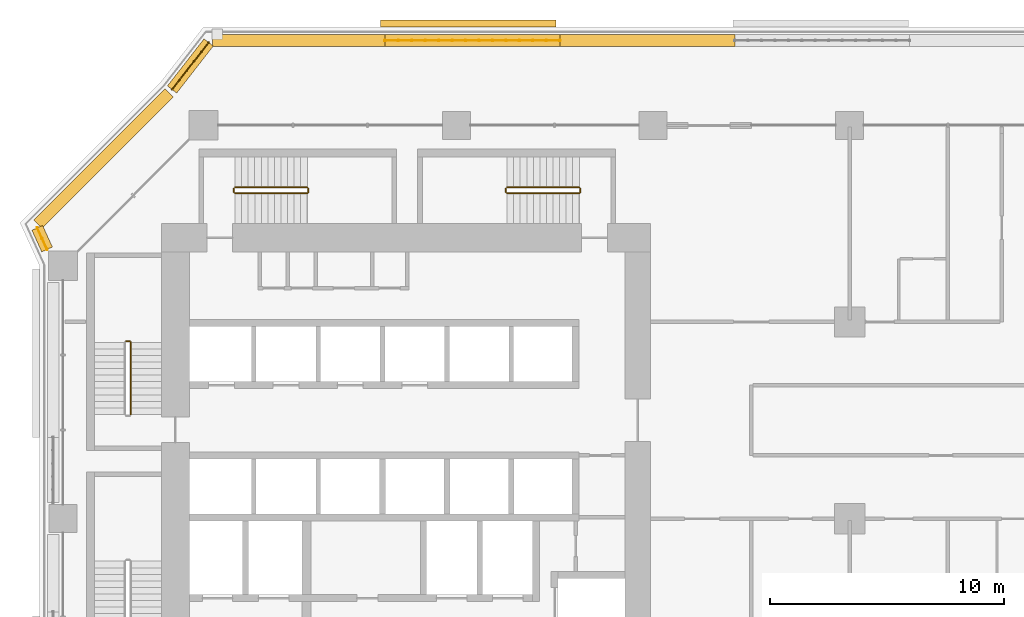
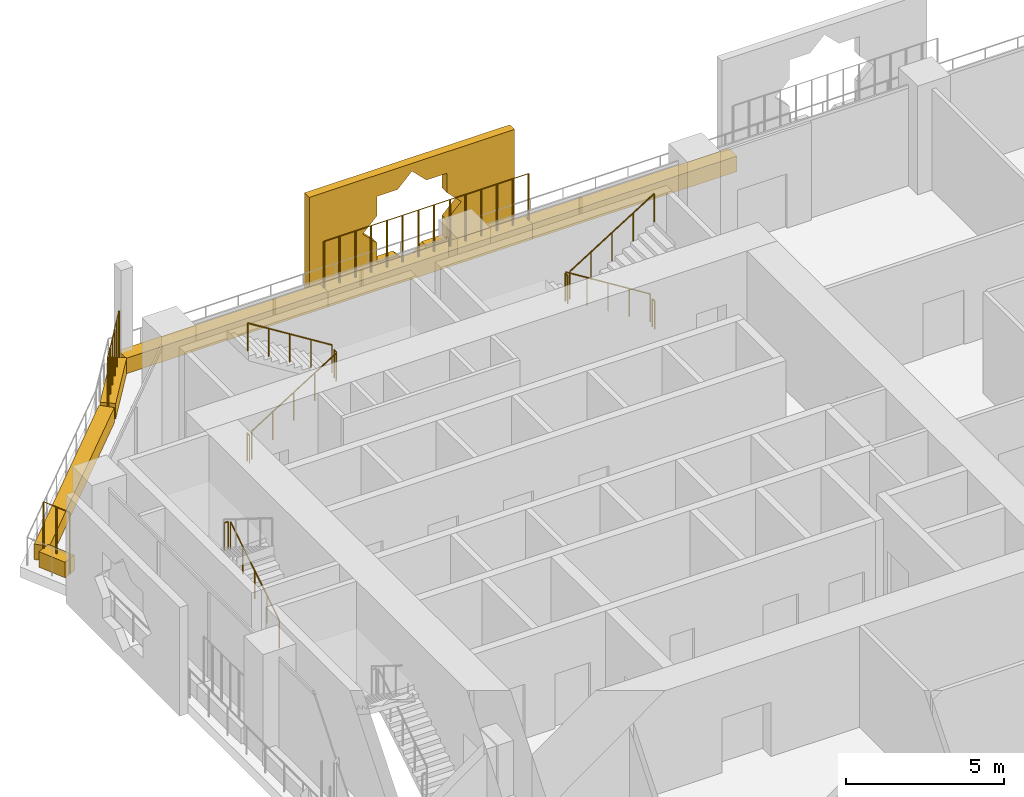
# One storey, part 26 of 28: 13 railings, 7 coverings.
"""IFC4 building model written with IfcOpenShell, lengths in metres."""

from ifc_helpers import new_model, si_unit, direction, frame, origin, origin_2d, place, context, subcontext, project, spatial, polyline, rectangle, circle, outline, extrude, material, material_profile, profile_set, type_object, element, save


model = new_model("IFC4")

# Units and contexts
model_context = context("Model", 3, precision=1e-05, world=origin(), true_north=direction((0.0, 1.0)))
body_context = subcontext(model_context, "Body", "Model", "MODEL_VIEW")
ifc_project = project(units=[si_unit("LENGTHUNIT", "METRE"), si_unit("AREAUNIT", "SQUARE_METRE"), si_unit("VOLUMEUNIT", "CUBIC_METRE"), si_unit("PLANEANGLEUNIT", "RADIAN"), si_unit("MASSUNIT", "GRAM", prefix="KILO")], contexts=[model_context])

# Site, building, storey
site_placement = place(None, origin())
site = spatial("IfcSite", under=ifc_project, at=site_placement, CompositionType="ELEMENT")
building_placement = place(site_placement, origin())
building = spatial("IfcBuilding", under=site, at=building_placement, Name="Kawkab Arch Medical Tower", CompositionType="ELEMENT")
storey_placement = place(building_placement, frame((0.0, 0.0, 56.0)))
storey = spatial("IfcBuildingStorey", under=building, at=storey_placement, Name="L12", CompositionType="ELEMENT", Elevation=56.0)

# Coverings
ifc_material_1 = material(Name="Bronze anodised aluminium mashrabiya panel, eight-point star pattern", Category="aluminium")
ifc_material_profile_1 = material_profile(ifc_material_1, outline(polyline([(-3.75, -2.10009765625), (3.75, -2.10009765625), (3.75, 2.10009765625), (-3.75, 2.10009765625), (-3.75, -2.10009765625)]), holes=[polyline([(1.800048828125, 0.0), (1.272705078125, 0.527099609375), (1.272705078125, 1.272705078125), (0.527099609375, 1.272705078125), (0.0, 1.800048828125), (-0.527099609375, 1.272705078125), (-1.272705078125, 1.272705078125), (-1.272705078125, 0.527099609375), (-1.800048828125, 0.0), (-1.272705078125, -0.527099609375), (-1.272705078125, -1.272705078125), (-0.527099609375, -1.272705078125), (0.0, -1.800048828125), (0.527099609375, -1.272705078125), (1.272705078125, -1.272705078125), (1.272705078125, -0.527099609375), (1.800048828125, 0.0)])]), Name="Mashrabiya panel 7500x4200")
ifc_profile_set_1 = profile_set([ifc_material_profile_1], Name="Bronze anodised aluminium mashrabiya panel, eight-point star pattern")
covering_type_1 = type_object("IfcCoveringType", Name="Mashrabiya panel 7500 x 4200", PredefinedType="USERDEFINED", material=ifc_profile_set_1)
covering_1_placement = place(storey_placement, frame((17.30322265625, 4.199951171875, 1.699951171875), z_axis=(0.0, 1.0, 0.0), x_axis=(-1.0, 0.0, 0.0)))
element("IfcCovering", 1, at=covering_1_placement, inside=storey, type_object=covering_type_1, Name="Mashrabiya panel L12.LOG-01-01.6", ObjectType="SCREEN", PredefinedType="USERDEFINED", context=body_context, shape_type="SweptSolid", body=[
    extrude(outline(polyline([(-3.75, -2.10009765625), (3.75, -2.10009765625), (3.75, 2.10009765625), (-3.75, 2.10009765625), (-3.75, -2.10009765625)]), holes=[polyline([(1.800048828125, 0.0), (1.272705078125, 0.527099609375), (1.272705078125, 1.272705078125), (0.527099609375, 1.272705078125), (0.0, 1.800048828125), (-0.527099609375, 1.272705078125), (-1.272705078125, 1.272705078125), (-1.272705078125, 0.527099609375), (-1.800048828125, 0.0), (-1.272705078125, -0.527099609375), (-1.272705078125, -1.272705078125), (-0.527099609375, -1.272705078125), (0.0, -1.800048828125), (0.527099609375, -1.272705078125), (1.272705078125, -1.272705078125), (1.272705078125, -0.527099609375), (1.800048828125, 0.0)])]), origin(), (0.0, 0.0, 1.0), 0.300048828125),
])
ifc_material_2 = material(Name="Planting soil in a precast trough", Category="concrete")
ifc_material_profile_2 = material_profile(ifc_material_2, rectangle(XDim=0.5, YDim=0.60009765625, at=origin_2d()), Name="Trough 500x600")
ifc_profile_set_2 = profile_set([ifc_material_profile_2], Name="Planting soil in a precast trough")
covering_type_2 = type_object("IfcCoveringType", Name="Planter trough 500 x 600", PredefinedType="USERDEFINED", material=ifc_profile_set_2)
covering_2_placement = place(storey_placement, frame((-0.680908203125, -5.302001953125, 0.300048828125), z_axis=(-0.415071571878, 0.909788761317, 0.0), x_axis=(-0.909788761317, -0.415071571878, 0.0)))
element("IfcCovering", 2, at=covering_2_placement, inside=storey, type_object=covering_type_2, Name="Planter L12.LOG-01-01.17", ObjectType="PLANTER", PredefinedType="USERDEFINED", context=body_context, shape_type="SweptSolid", body=[
    extrude(rectangle(XDim=0.5, YDim=0.60009765625, at=origin_2d()), origin(), (0.0, 0.0, 1.0), 1.0146484375),
])
covering_3_placement = place(storey_placement, frame((-1.072998046875, -4.217041015625, 0.300048828125), z_axis=(0.707106781187, 0.707106781187, 0.0), x_axis=(-0.707106781187, 0.707106781187, 0.0)))
element("IfcCovering", 3, at=covering_3_placement, inside=storey, type_object=covering_type_2, Name="Planter L12.LOG-01-01.18", ObjectType="PLANTER", PredefinedType="USERDEFINED", context=body_context, shape_type="SweptSolid", body=[
    extrude(rectangle(XDim=0.5, YDim=0.60009765625, at=origin_2d()), origin(), (0.0, 0.0, 1.0), 7.919677734375),
])
covering_4_placement = place(storey_placement, frame((4.658935546875, 1.531982421875, 0.300048828125), z_axis=(0.61404021143, 0.789274742246, 0.0), x_axis=(-0.789274742246, 0.61404021143, 0.0)))
element("IfcCovering", 4, at=covering_4_placement, inside=storey, type_object=covering_type_2, Name="Planter L12.LOG-01-01.19", ObjectType="PLANTER", PredefinedType="USERDEFINED", context=body_context, shape_type="SweptSolid", body=[
    extrude(rectangle(XDim=0.5, YDim=0.60009765625, at=origin_2d()), origin(), (0.0, 0.0, 1.0), 2.54541015625),
])
covering_5_placement = place(storey_placement, frame((6.384033203125, 3.6201171875, 0.300048828125), z_axis=(1.0, 0.0, 0.0), x_axis=(0.0, 1.0, 0.0)))
element("IfcCovering", 5, at=covering_5_placement, inside=storey, type_object=covering_type_2, Name="Planter L12.LOG-01-01.20", ObjectType="PLANTER", PredefinedType="USERDEFINED", context=body_context, shape_type="SweptSolid", body=[
    extrude(rectangle(XDim=0.5, YDim=0.60009765625, at=origin_2d()), origin(), (0.0, 0.0, 1.0), 7.369873046875),
])
covering_6_placement = place(storey_placement, frame((13.75390625, 3.6201171875, 0.300048828125), z_axis=(1.0, 0.0, 0.0), x_axis=(0.0, 1.0, 0.0)))
element("IfcCovering", 6, at=covering_6_placement, inside=storey, type_object=covering_type_2, Name="Planter L12.LOG-01-01.21", ObjectType="PLANTER", PredefinedType="USERDEFINED", context=body_context, shape_type="SweptSolid", body=[
    extrude(rectangle(XDim=0.5, YDim=0.60009765625, at=origin_2d()), origin(), (0.0, 0.0, 1.0), 7.47021484375),
])
covering_7_placement = place(storey_placement, frame((21.22412109375, 3.6201171875, 0.300048828125), z_axis=(1.0, 0.0, 0.0), x_axis=(0.0, 1.0, 0.0)))
element("IfcCovering", 7, at=covering_7_placement, inside=storey, type_object=covering_type_2, Name="Planter L12.LOG-01-01.22", ObjectType="PLANTER", PredefinedType="USERDEFINED", context=body_context, shape_type="SweptSolid", body=[
    extrude(rectangle(XDim=0.5, YDim=0.60009765625, at=origin_2d()), origin(), (0.0, 0.0, 1.0), 7.470947265625),
])

# Railings
ifc_material_3 = material(Name="Bronze anodised aluminium trellis for climbing plants", Category="aluminium")
railing_type_1 = type_object("IfcRailingType", Name="Planting trellis 2400", PredefinedType="USERDEFINED", material=ifc_material_3)
railing_1_placement = place(storey_placement, frame((-0.680908203125, -5.302001953125, 0.0)))
element("IfcRailing", 8, at=railing_1_placement, inside=storey, type_object=railing_type_1, Name="Planting trellis L12.LOG-01-01.17", ObjectType="TRELLIS", PredefinedType="USERDEFINED", context=body_context, shape_type="SweptSolid", body=[
    extrude(circle(Radius=0.01513671875, at=origin_2d()), frame((0.0, 0.0, 2.384765625), z_axis=(-0.415071571878, 0.909788761317, 0.0), x_axis=(-0.909788761317, -0.415071571878, 0.0)), (0.0, 0.0, 1.0), 1.0146484375),
    extrude(circle(Radius=0.030029296875, at=origin_2d()), origin(), (0.0, 0.0, 1.0), 2.369873046875),
    extrude(circle(Radius=0.030029296875, at=origin_2d()), frame((-0.21044921875, 0.46142578125, 0.0)), (0.0, 0.0, 1.0), 2.369873046875),
    extrude(circle(Radius=0.030029296875, at=origin_2d()), frame((-0.421142578125, 0.923095703125, 0.0)), (0.0, 0.0, 1.0), 2.369873046875),
])
railing_2_placement = place(storey_placement, frame((4.658935546875, 1.531982421875, 0.0)))
element("IfcRailing", 9, at=railing_2_placement, inside=storey, type_object=railing_type_1, Name="Planting trellis L12.LOG-01-01.19", ObjectType="TRELLIS", PredefinedType="USERDEFINED", context=body_context, shape_type="SweptSolid", body=[
    extrude(circle(Radius=0.01513671875, at=origin_2d()), frame((0.0, 0.0, 2.384765625), z_axis=(0.61404021143, 0.789274742246, 0.0), x_axis=(-0.789274742246, 0.61404021143, 0.0)), (0.0, 0.0, 1.0), 2.54541015625),
    extrude(circle(Radius=0.030029296875, at=origin_2d()), origin(), (0.0, 0.0, 1.0), 2.369873046875),
    extrude(circle(Radius=0.030029296875, at=origin_2d()), frame((0.3125, 0.40185546875, 0.0)), (0.0, 0.0, 1.0), 2.369873046875),
    extrude(circle(Radius=0.030029296875, at=origin_2d()), frame((0.625244140625, 0.8037109375, 0.0)), (0.0, 0.0, 1.0), 2.369873046875),
    extrude(circle(Radius=0.030029296875, at=origin_2d()), frame((0.937744140625, 1.205322265625, 0.0)), (0.0, 0.0, 1.0), 2.369873046875),
    extrude(circle(Radius=0.030029296875, at=origin_2d()), frame((1.25048828125, 1.607177734375, 0.0)), (0.0, 0.0, 1.0), 2.369873046875),
    extrude(circle(Radius=0.030029296875, at=origin_2d()), frame((1.56298828125, 2.009033203125, 0.0)), (0.0, 0.0, 1.0), 2.369873046875),
])
railing_3_placement = place(storey_placement, frame((13.75390625, 3.6201171875, 0.0)))
element("IfcRailing", 10, at=railing_3_placement, inside=storey, type_object=railing_type_1, Name="Planting trellis L12.LOG-01-01.21", ObjectType="TRELLIS", PredefinedType="USERDEFINED", context=body_context, shape_type="SweptSolid", body=[
    extrude(circle(Radius=0.01513671875, at=origin_2d()), frame((0.0, 0.0, 2.384765625), z_axis=(1.0, 0.0, 0.0), x_axis=(0.0, 1.0, 0.0)), (0.0, 0.0, 1.0), 7.47021484375),
    extrude(circle(Radius=0.030029296875, at=origin_2d()), origin(), (0.0, 0.0, 1.0), 2.369873046875),
    extrude(circle(Radius=0.030029296875, at=origin_2d()), frame((0.57470703125, 0.0, 0.0)), (0.0, 0.0, 1.0), 2.369873046875),
    extrude(circle(Radius=0.030029296875, at=origin_2d()), frame((1.149169921875, 0.0, 0.0)), (0.0, 0.0, 1.0), 2.369873046875),
    extrude(circle(Radius=0.030029296875, at=origin_2d()), frame((1.723876953125, 0.0, 0.0)), (0.0, 0.0, 1.0), 2.369873046875),
    extrude(circle(Radius=0.030029296875, at=origin_2d()), frame((2.298583984375, 0.0, 0.0)), (0.0, 0.0, 1.0), 2.369873046875),
    extrude(circle(Radius=0.030029296875, at=origin_2d()), frame((2.873046875, 0.0, 0.0)), (0.0, 0.0, 1.0), 2.369873046875),
    extrude(circle(Radius=0.030029296875, at=origin_2d()), frame((3.44775390625, 0.0, 0.0)), (0.0, 0.0, 1.0), 2.369873046875),
    extrude(circle(Radius=0.030029296875, at=origin_2d()), frame((4.0224609375, 0.0, 0.0)), (0.0, 0.0, 1.0), 2.369873046875),
    extrude(circle(Radius=0.030029296875, at=origin_2d()), frame((4.59716796875, 0.0, 0.0)), (0.0, 0.0, 1.0), 2.369873046875),
    extrude(circle(Radius=0.030029296875, at=origin_2d()), frame((5.171630859375, 0.0, 0.0)), (0.0, 0.0, 1.0), 2.369873046875),
    extrude(circle(Radius=0.030029296875, at=origin_2d()), frame((5.746337890625, 0.0, 0.0)), (0.0, 0.0, 1.0), 2.369873046875),
    extrude(circle(Radius=0.030029296875, at=origin_2d()), frame((6.321044921875, 0.0, 0.0)), (0.0, 0.0, 1.0), 2.369873046875),
    extrude(circle(Radius=0.030029296875, at=origin_2d()), frame((6.8955078125, 0.0, 0.0)), (0.0, 0.0, 1.0), 2.369873046875),
    extrude(circle(Radius=0.030029296875, at=origin_2d()), frame((7.47021484375, 0.0, 0.0)), (0.0, 0.0, 1.0), 2.369873046875),
])
ifc_material_4 = material(Name="Stainless steel", Category="steel")
railing_type_2 = type_object("IfcRailingType", Name="Stair guard 1100", PredefinedType="GUARDRAIL", material=ifc_material_4)
railing_4_placement = place(storey_placement, frame((2.89990234375, -12.35009765625, 0.175048828125)))
element("IfcRailing", 11, at=railing_4_placement, inside=storey, type_object=railing_type_2, Name="L12 ST1 stair guard 1", PredefinedType="GUARDRAIL", context=body_context, shape_type="SweptSolid", body=[
    extrude(circle(Radius=0.02392578125, at=origin_2d()), frame((0.0, 0.0, 1.076171875), z_axis=(0.0, 0.847998304005, 0.529998940003), x_axis=(-1.0, 0.0, 0.0)), (0.0, 0.0, 1.0), 3.632080078125),
    extrude(circle(Radius=0.02099609375, at=origin_2d()), origin(), (0.0, 0.0, 1.0), 1.052001953125),
    extrude(circle(Radius=0.02099609375, at=origin_2d()), frame((0.0, 0.77001953125, 0.481201171875)), (0.0, 0.0, 1.0), 1.052001953125),
    extrude(circle(Radius=0.02099609375, at=origin_2d()), frame((0.0, 1.5400390625, 0.96240234375)), (0.0, 0.0, 1.0), 1.052001953125),
    extrude(circle(Radius=0.02099609375, at=origin_2d()), frame((0.0, 2.31005859375, 1.44384765625)), (0.0, 0.0, 1.0), 1.052001953125),
    extrude(circle(Radius=0.02099609375, at=origin_2d()), frame((0.0, 3.080078125, 1.925048828125)), (0.0, 0.0, 1.0), 1.052001953125),
])
railing_5_placement = place(storey_placement, frame((2.85009765625, -9.219970703125, 2.10009765625)))
element("IfcRailing", 12, at=railing_5_placement, inside=storey, type_object=railing_type_2, Name="L12 ST1 stair guard 2", PredefinedType="GUARDRAIL", context=body_context, shape_type="SweptSolid", body=[
    extrude(circle(Radius=0.02392578125, at=origin_2d()), frame((0.0, 0.0, 1.076171875), z_axis=(-1.0, 0.0, 0.0), x_axis=(0.0, -1.0, 0.0)), (0.0, 0.0, 1.0), 0.150146484375),
    extrude(circle(Radius=0.02099609375, at=origin_2d()), origin(), (0.0, 0.0, 1.0), 1.052001953125),
    extrude(circle(Radius=0.02099609375, at=origin_2d()), frame((-0.150146484375, 0.0, 0.0)), (0.0, 0.0, 1.0), 1.052001953125),
])
railing_6_placement = place(storey_placement, frame((7.35009765625, -2.89990234375, 0.175048828125)))
element("IfcRailing", 13, at=railing_6_placement, inside=storey, type_object=railing_type_2, Name="L12 ST3 stair guard 1", PredefinedType="GUARDRAIL", context=body_context, shape_type="SweptSolid", body=[
    extrude(circle(Radius=0.02392578125, at=origin_2d()), frame((0.0, 0.0, 1.076171875), z_axis=(0.847979421464, 0.0, 0.530029150871), x_axis=(0.0, 1.0, 0.0)), (0.0, 0.0, 1.0), 3.632080078125),
    extrude(circle(Radius=0.02099609375, at=origin_2d()), origin(), (0.0, 0.0, 1.0), 1.052001953125),
    extrude(circle(Radius=0.02099609375, at=origin_2d()), frame((0.77001953125, 0.0, 0.481201171875)), (0.0, 0.0, 1.0), 1.052001953125),
    extrude(circle(Radius=0.02099609375, at=origin_2d()), frame((1.5400390625, 0.0, 0.96240234375)), (0.0, 0.0, 1.0), 1.052001953125),
    extrude(circle(Radius=0.02099609375, at=origin_2d()), frame((2.309814453125, 0.0, 1.44384765625)), (0.0, 0.0, 1.0), 1.052001953125),
    extrude(circle(Radius=0.02099609375, at=origin_2d()), frame((3.079833984375, 0.0, 1.925048828125)), (0.0, 0.0, 1.0), 1.052001953125),
])
railing_7_placement = place(storey_placement, frame((10.47998046875, -2.85009765625, 2.10009765625)))
element("IfcRailing", 14, at=railing_7_placement, inside=storey, type_object=railing_type_2, Name="L12 ST3 stair guard 2", PredefinedType="GUARDRAIL", context=body_context, shape_type="SweptSolid", body=[
    extrude(circle(Radius=0.02392578125, at=origin_2d()), frame((0.0, 0.0, 1.076171875), z_axis=(0.0, 1.0, 0.0), x_axis=(-1.0, 0.0, 0.0)), (0.0, 0.0, 1.0), 0.150146484375),
    extrude(circle(Radius=0.02099609375, at=origin_2d()), origin(), (0.0, 0.0, 1.0), 1.052001953125),
    extrude(circle(Radius=0.02099609375, at=origin_2d()), frame((0.0, 0.150146484375, 0.0)), (0.0, 0.0, 1.0), 1.052001953125),
])
railing_8_placement = place(storey_placement, frame((10.429931640625, -2.64990234375, 2.27490234375)))
element("IfcRailing", 15, at=railing_8_placement, inside=storey, type_object=railing_type_2, Name="L12 ST3 stair guard 3", PredefinedType="GUARDRAIL", context=body_context, shape_type="SweptSolid", body=[
    extrude(circle(Radius=0.02392578125, at=origin_2d()), frame((0.0, 0.0, 1.076171875), z_axis=(-0.847979421464, 0.0, 0.530029150871), x_axis=(0.0, -1.0, 0.0)), (0.0, 0.0, 1.0), 3.632080078125),
    extrude(circle(Radius=0.02099609375, at=origin_2d()), origin(), (0.0, 0.0, 1.0), 1.052001953125),
    extrude(circle(Radius=0.02099609375, at=origin_2d()), frame((-0.77001953125, 0.0, 0.481201171875)), (0.0, 0.0, 1.0), 1.052001953125),
    extrude(circle(Radius=0.02099609375, at=origin_2d()), frame((-1.5400390625, 0.0, 0.96240234375)), (0.0, 0.0, 1.0), 1.052001953125),
    extrude(circle(Radius=0.02099609375, at=origin_2d()), frame((-2.309814453125, 0.0, 1.44384765625)), (0.0, 0.0, 1.0), 1.052001953125),
    extrude(circle(Radius=0.02099609375, at=origin_2d()), frame((-3.079833984375, 0.0, 1.925048828125)), (0.0, 0.0, 1.0), 1.052001953125),
])
railing_9_placement = place(storey_placement, frame((7.300048828125, -2.85009765625, 0.0)))
element("IfcRailing", 16, at=railing_9_placement, inside=storey, type_object=railing_type_2, Name="L12 ST3 stair guard 4", PredefinedType="GUARDRAIL", context=body_context, shape_type="SweptSolid", body=[
    extrude(circle(Radius=0.02392578125, at=origin_2d()), frame((0.0, 0.0, 1.076171875), z_axis=(0.0, 1.0, 0.0), x_axis=(-1.0, 0.0, 0.0)), (0.0, 0.0, 1.0), 0.150146484375),
    extrude(circle(Radius=0.02099609375, at=origin_2d()), origin(), (0.0, 0.0, 1.0), 1.052001953125),
    extrude(circle(Radius=0.02099609375, at=origin_2d()), frame((0.0, 0.150146484375, 0.0)), (0.0, 0.0, 1.0), 1.052001953125),
])
railing_10_placement = place(storey_placement, frame((22.050048828125, -2.64990234375, 0.175048828125)))
element("IfcRailing", 17, at=railing_10_placement, inside=storey, type_object=railing_type_2, Name="L12 ST4 stair guard 1", PredefinedType="GUARDRAIL", context=body_context, shape_type="SweptSolid", body=[
    extrude(circle(Radius=0.02392578125, at=origin_2d()), frame((0.0, 0.0, 1.076171875), z_axis=(-0.847998304005, 0.0, 0.529998940003), x_axis=(0.0, -1.0, 0.0)), (0.0, 0.0, 1.0), 3.632080078125),
    extrude(circle(Radius=0.02099609375, at=origin_2d()), origin(), (0.0, 0.0, 1.0), 1.052001953125),
    extrude(circle(Radius=0.02099609375, at=origin_2d()), frame((-0.77001953125, 0.0, 0.481201171875)), (0.0, 0.0, 1.0), 1.052001953125),
    extrude(circle(Radius=0.02099609375, at=origin_2d()), frame((-1.5400390625, 0.0, 0.96240234375)), (0.0, 0.0, 1.0), 1.052001953125),
    extrude(circle(Radius=0.02099609375, at=origin_2d()), frame((-2.31005859375, 0.0, 1.44384765625)), (0.0, 0.0, 1.0), 1.052001953125),
    extrude(circle(Radius=0.02099609375, at=origin_2d()), frame((-3.080078125, 0.0, 1.925048828125)), (0.0, 0.0, 1.0), 1.052001953125),
])
railing_11_placement = place(storey_placement, frame((18.919921875, -2.699951171875, 2.10009765625)))
element("IfcRailing", 18, at=railing_11_placement, inside=storey, type_object=railing_type_2, Name="L12 ST4 stair guard 2", PredefinedType="GUARDRAIL", context=body_context, shape_type="SweptSolid", body=[
    extrude(circle(Radius=0.02392578125, at=origin_2d()), frame((0.0, 0.0, 1.076171875), z_axis=(0.0, -1.0, 0.0), x_axis=(1.0, 0.0, 0.0)), (0.0, 0.0, 1.0), 0.150146484375),
    extrude(circle(Radius=0.02099609375, at=origin_2d()), origin(), (0.0, 0.0, 1.0), 1.052001953125),
    extrude(circle(Radius=0.02099609375, at=origin_2d()), frame((0.0, -0.150146484375, 0.0)), (0.0, 0.0, 1.0), 1.052001953125),
])
railing_12_placement = place(storey_placement, frame((18.969970703125, -2.89990234375, 2.27490234375)))
element("IfcRailing", 19, at=railing_12_placement, inside=storey, type_object=railing_type_2, Name="L12 ST4 stair guard 3", PredefinedType="GUARDRAIL", context=body_context, shape_type="SweptSolid", body=[
    extrude(circle(Radius=0.02392578125, at=origin_2d()), frame((0.0, 0.0, 1.076171875), z_axis=(0.847998304005, 0.0, 0.529998940003), x_axis=(0.0, 1.0, 0.0)), (0.0, 0.0, 1.0), 3.632080078125),
    extrude(circle(Radius=0.02099609375, at=origin_2d()), origin(), (0.0, 0.0, 1.0), 1.052001953125),
    extrude(circle(Radius=0.02099609375, at=origin_2d()), frame((0.77001953125, 0.0, 0.481201171875)), (0.0, 0.0, 1.0), 1.052001953125),
    extrude(circle(Radius=0.02099609375, at=origin_2d()), frame((1.5400390625, 0.0, 0.96240234375)), (0.0, 0.0, 1.0), 1.052001953125),
    extrude(circle(Radius=0.02099609375, at=origin_2d()), frame((2.31005859375, 0.0, 1.44384765625)), (0.0, 0.0, 1.0), 1.052001953125),
    extrude(circle(Radius=0.02099609375, at=origin_2d()), frame((3.080078125, 0.0, 1.925048828125)), (0.0, 0.0, 1.0), 1.052001953125),
])
railing_13_placement = place(storey_placement, frame((22.10009765625, -2.699951171875, 0.0)))
element("IfcRailing", 20, at=railing_13_placement, inside=storey, type_object=railing_type_2, Name="L12 ST4 stair guard 4", PredefinedType="GUARDRAIL", context=body_context, shape_type="SweptSolid", body=[
    extrude(circle(Radius=0.02392578125, at=origin_2d()), frame((0.0, 0.0, 1.076171875), z_axis=(0.0, -1.0, 0.0), x_axis=(1.0, 0.0, 0.0)), (0.0, 0.0, 1.0), 0.150146484375),
    extrude(circle(Radius=0.02099609375, at=origin_2d()), origin(), (0.0, 0.0, 1.0), 1.052001953125),
    extrude(circle(Radius=0.02099609375, at=origin_2d()), frame((0.0, -0.150146484375, 0.0)), (0.0, 0.0, 1.0), 1.052001953125),
])

save(model, "model.ifc")
